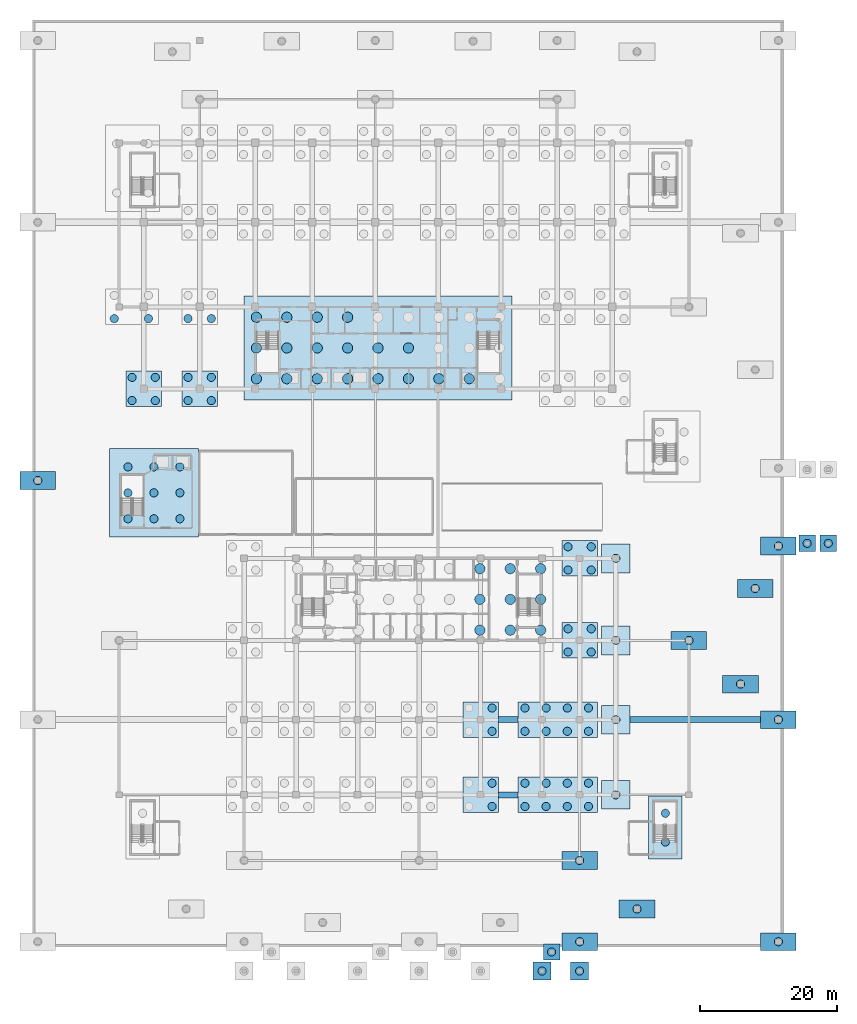
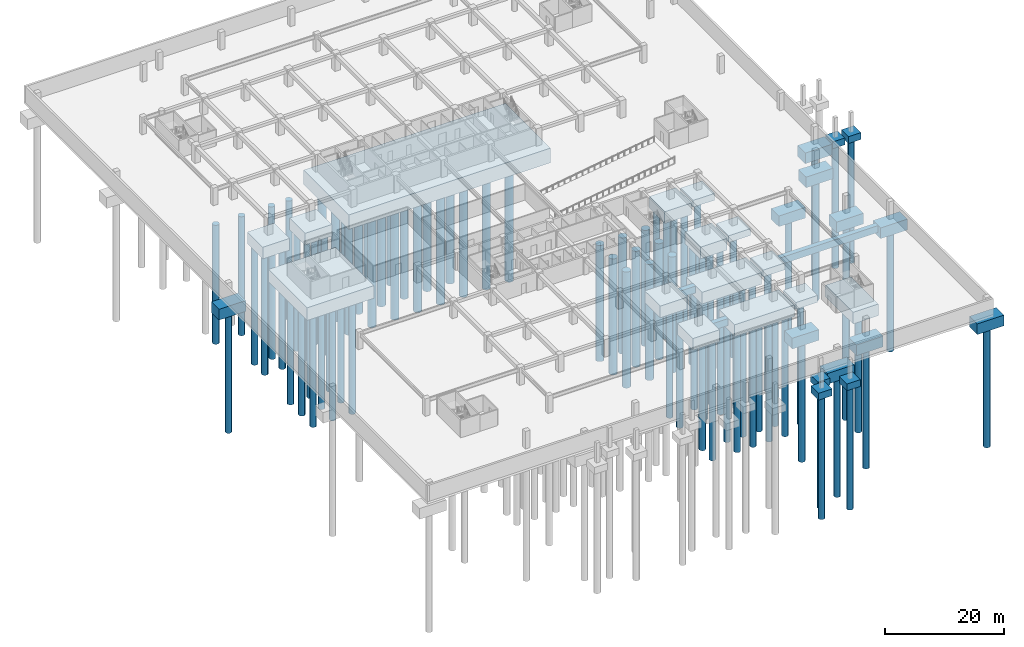
# One storey, part 2 of 26: 97 piles, 33 footings.
"""IFC4 building model written with IfcOpenShell, lengths in metres."""

from ifc_helpers import new_model, si_unit, direction, frame, origin, origin_2d, place, context, subcontext, project, spatial, polyline, circle, outline, extrude, material, layer, layer_set, material_profile, profile_set, type_object, element, save


model = new_model("IFC4")

# Units and contexts
model_context = context("Model", 3, precision=1e-05, world=origin(), true_north=direction((0.0, 1.0)))
body_context = subcontext(model_context, "Body", "Model", "MODEL_VIEW")
ifc_project = project(units=[si_unit("LENGTHUNIT", "METRE"), si_unit("AREAUNIT", "SQUARE_METRE"), si_unit("VOLUMEUNIT", "CUBIC_METRE"), si_unit("PLANEANGLEUNIT", "RADIAN"), si_unit("MASSUNIT", "GRAM", prefix="KILO")], contexts=[model_context])

# Site, building, storey
site_placement = place(None, origin())
site = spatial("IfcSite", under=ifc_project, at=site_placement, CompositionType="ELEMENT")
building_placement = place(site_placement, origin())
building = spatial("IfcBuilding", under=site, at=building_placement, Name="Korimba Cascade Residences", CompositionType="ELEMENT")
storey_placement = place(building_placement, frame((0.0, 0.0, -10.800048828125)))
storey = spatial("IfcBuildingStorey", under=building, at=storey_placement, Name="B03", CompositionType="ELEMENT", Elevation=-10.800048828125)

# Footings
ifc_material = material(Name="Concrete C50/60", Category="concrete")
ifc_layer_1 = layer(ifc_material, 1.39990234375)
ifc_layer_set_1 = layer_set([ifc_layer_1], Name="Concrete C50/60")
footing_type_1 = type_object("IfcFootingType", Name="GB-900X1400", PredefinedType="FOOTING_BEAM", material=ifc_layer_set_1)
footing_1_placement = place(storey_placement, frame((0.0, 0.0, -1.849853515625)))
element("IfcFooting", 1, at=footing_1_placement, inside=storey, type_object=footing_type_1, Name="Ground Tie Beam GB-022", PredefinedType="FOOTING_BEAM", context=body_context, shape_type="SweptSolid", body=[
    extrude(outline(polyline([(111.699951171875, -4.64990234375), (114.60009765625, -4.64990234375), (114.60009765625, -3.75), (111.699951171875, -3.75), (111.699951171875, -4.64990234375)])), origin(), (0.0, 0.0, 1.0), 1.39990234375),
])
footing_2_placement = place(storey_placement, frame((0.0, 0.0, -1.849853515625)))
element("IfcFooting", 2, at=footing_2_placement, inside=storey, type_object=footing_type_1, Name="Ground Tie Beam GB-028", PredefinedType="FOOTING_BEAM", context=body_context, shape_type="SweptSolid", body=[
    extrude(outline(polyline([(111.699951171875, 6.35009765625), (114.60009765625, 6.35009765625), (114.60009765625, 7.25), (111.699951171875, 7.25), (111.699951171875, 6.35009765625)])), origin(), (0.0, 0.0, 1.0), 1.39990234375),
])
footing_3_placement = place(storey_placement, frame((0.0, 0.0, -1.849853515625)))
element("IfcFooting", 3, at=footing_3_placement, inside=storey, type_object=footing_type_1, Name="Ground Tie Beam GB-029", PredefinedType="FOOTING_BEAM", context=body_context, shape_type="SweptSolid", body=[
    extrude(outline(polyline([(131.0, 6.35009765625), (150.10009765625, 6.35009765625), (150.10009765625, 7.25), (131.0, 7.25), (131.0, 6.35009765625)])), origin(), (0.0, 0.0, 1.0), 1.39990234375),
])
ifc_layer_2 = layer(ifc_material, 1.39990234375)
ifc_layer_set_2 = layer_set([ifc_layer_2], Name="Concrete C50/60")
footing_type_2 = type_object("IfcFootingType", Name="PAD-CANOPY", PredefinedType="PAD_FOOTING", material=ifc_layer_set_2)
footing_4_placement = place(storey_placement, frame((0.0, 0.0, -1.849853515625)))
element("IfcFooting", 4, at=footing_4_placement, inside=storey, type_object=footing_type_2, Name="Column Pile Cap FTG-PC-038", PredefinedType="PAD_FOOTING", context=body_context, shape_type="SweptSolid", body=[
    extrude(outline(polyline([(126.800048828125, -6.300048828125), (131.0, -6.300048828125), (131.0, -2.10009765625), (126.800048828125, -2.10009765625), (126.800048828125, -6.300048828125)])), origin(), (0.0, 0.0, 1.0), 1.39990234375),
])
footing_5_placement = place(storey_placement, frame((0.0, 0.0, -1.849853515625)))
element("IfcFooting", 5, at=footing_5_placement, inside=storey, type_object=footing_type_2, Name="Column Pile Cap FTG-PC-039", PredefinedType="PAD_FOOTING", context=body_context, shape_type="SweptSolid", body=[
    extrude(outline(polyline([(126.800048828125, 4.699951171875), (131.0, 4.699951171875), (131.0, 8.89990234375), (126.800048828125, 8.89990234375), (126.800048828125, 4.699951171875)])), origin(), (0.0, 0.0, 1.0), 1.39990234375),
])
footing_6_placement = place(storey_placement, frame((0.0, 0.0, -1.849853515625)))
element("IfcFooting", 6, at=footing_6_placement, inside=storey, type_object=footing_type_2, Name="Column Pile Cap FTG-PC-040", PredefinedType="PAD_FOOTING", context=body_context, shape_type="SweptSolid", body=[
    extrude(outline(polyline([(126.800048828125, 16.300048828125), (131.0, 16.300048828125), (131.0, 20.5), (126.800048828125, 20.5), (126.800048828125, 16.300048828125)])), origin(), (0.0, 0.0, 1.0), 1.39990234375),
])
footing_7_placement = place(storey_placement, frame((0.0, 0.0, -1.849853515625)))
element("IfcFooting", 7, at=footing_7_placement, inside=storey, type_object=footing_type_2, Name="Column Pile Cap FTG-PC-041", PredefinedType="PAD_FOOTING", context=body_context, shape_type="SweptSolid", body=[
    extrude(outline(polyline([(126.800048828125, 28.300048828125), (131.0, 28.300048828125), (131.0, 32.5), (126.800048828125, 32.5), (126.800048828125, 28.300048828125)])), origin(), (0.0, 0.0, 1.0), 1.39990234375),
])
footing_8_placement = place(storey_placement, frame((0.0, 0.0, -1.849853515625)))
element("IfcFooting", 8, at=footing_8_placement, inside=storey, type_object=footing_type_2, Name="Porte-Cochere Pad Footing PF-6", PredefinedType="PAD_FOOTING", context=body_context, shape_type="SweptSolid", body=[
    extrude(outline(polyline([(116.800048828125, -31.300048828125), (119.39990234375, -31.300048828125), (119.39990234375, -28.699951171875), (116.800048828125, -28.699951171875), (116.800048828125, -31.300048828125)])), origin(), (0.0, 0.0, 1.0), 1.39990234375),
])
footing_9_placement = place(storey_placement, frame((0.0, 0.0, -1.849853515625)))
element("IfcFooting", 9, at=footing_9_placement, inside=storey, type_object=footing_type_2, Name="Porte-Cochere Pad Footing PF-7", PredefinedType="PAD_FOOTING", context=body_context, shape_type="SweptSolid", body=[
    extrude(outline(polyline([(122.300048828125, -31.300048828125), (124.89990234375, -31.300048828125), (124.89990234375, -28.699951171875), (122.300048828125, -28.699951171875), (122.300048828125, -31.300048828125)])), origin(), (0.0, 0.0, 1.0), 1.39990234375),
])
footing_10_placement = place(storey_placement, frame((0.0, 0.0, -1.849853515625)))
element("IfcFooting", 10, at=footing_10_placement, inside=storey, type_object=footing_type_2, Name="Plaza Pad Footing APR1", PredefinedType="PAD_FOOTING", context=body_context, shape_type="SweptSolid", body=[
    extrude(outline(polyline([(155.699951171875, 31.39990234375), (158.10009765625, 31.39990234375), (158.10009765625, 33.800048828125), (155.699951171875, 33.800048828125), (155.699951171875, 31.39990234375)])), origin(), (0.0, 0.0, 1.0), 1.39990234375),
])
footing_11_placement = place(storey_placement, frame((0.0, 0.0, -1.849853515625)))
element("IfcFooting", 11, at=footing_11_placement, inside=storey, type_object=footing_type_2, Name="Plaza Pad Footing APR3", PredefinedType="PAD_FOOTING", context=body_context, shape_type="SweptSolid", body=[
    extrude(outline(polyline([(158.800048828125, 31.39990234375), (161.199951171875, 31.39990234375), (161.199951171875, 33.800048828125), (158.800048828125, 33.800048828125), (158.800048828125, 31.39990234375)])), origin(), (0.0, 0.0, 1.0), 1.39990234375),
])
footing_12_placement = place(storey_placement, frame((0.0, 0.0, -1.849853515625)))
element("IfcFooting", 12, at=footing_12_placement, inside=storey, type_object=footing_type_2, Name="Plaza Pad Footing PLZS2B", PredefinedType="PAD_FOOTING", context=body_context, shape_type="SweptSolid", body=[
    extrude(outline(polyline([(118.300048828125, -28.39990234375), (120.699951171875, -28.39990234375), (120.699951171875, -26.0), (118.300048828125, -26.0), (118.300048828125, -28.39990234375)])), origin(), (0.0, 0.0, 1.0), 1.39990234375),
])
ifc_layer_3 = layer(ifc_material, 2.199951171875)
ifc_layer_set_3 = layer_set([ifc_layer_3], Name="Concrete C50/60")
footing_type_3 = type_object("IfcFootingType", Name="PC-2PILE-P", PredefinedType="PILE_CAP", material=ifc_layer_set_3)
footing_13_placement = place(storey_placement, frame((0.0, 0.0, -2.64990234375)))
element("IfcFooting", 13, at=footing_13_placement, inside=storey, type_object=footing_type_3, Name="Column Pile Cap FTG-PC-043", PredefinedType="PILE_CAP", context=body_context, shape_type="SweptSolid", body=[
    extrude(outline(polyline([(137.0, 17.10009765625), (142.199951171875, 17.10009765625), (142.199951171875, 19.699951171875), (137.0, 19.699951171875), (137.0, 17.10009765625)])), origin(), (0.0, 0.0, 1.0), 2.199951171875),
])
footing_14_placement = place(storey_placement, frame((0.0, 0.0, -2.64990234375)))
element("IfcFooting", 14, at=footing_14_placement, inside=storey, type_object=footing_type_3, Name="Column Pile Cap FTG-PC-047", PredefinedType="PILE_CAP", context=body_context, shape_type="SweptSolid", body=[
    extrude(outline(polyline([(121.0, -15.10009765625), (126.199951171875, -15.10009765625), (126.199951171875, -12.5), (121.0, -12.5), (121.0, -15.10009765625)])), origin(), (0.0, 0.0, 1.0), 2.199951171875),
])
footing_15_placement = place(storey_placement, frame((0.0, 0.0, -2.64990234375)))
element("IfcFooting", 15, at=footing_15_placement, inside=storey, type_object=footing_type_3, Name="Column Pile Cap FTG-PC-054", PredefinedType="PILE_CAP", context=body_context, shape_type="SweptSolid", body=[
    extrude(outline(polyline([(129.39990234375, -22.199951171875), (134.60009765625, -22.199951171875), (134.60009765625, -19.60009765625), (129.39990234375, -19.60009765625), (129.39990234375, -22.199951171875)])), origin(), (0.0, 0.0, 1.0), 2.199951171875),
])
footing_16_placement = place(storey_placement, frame((0.0, 0.0, -2.64990234375)))
element("IfcFooting", 16, at=footing_16_placement, inside=storey, type_object=footing_type_3, Name="Column Pile Cap FTG-PC-059", PredefinedType="PILE_CAP", context=body_context, shape_type="SweptSolid", body=[
    extrude(outline(polyline([(146.699951171875, 24.699951171875), (151.89990234375, 24.699951171875), (151.89990234375, 27.300048828125), (146.699951171875, 27.300048828125), (146.699951171875, 24.699951171875)])), origin(), (0.0, 0.0, 1.0), 2.199951171875),
])
footing_17_placement = place(storey_placement, frame((0.0, 0.0, -2.64990234375)))
element("IfcFooting", 17, at=footing_17_placement, inside=storey, type_object=footing_type_3, Name="Column Pile Cap FTG-PC-061", PredefinedType="PILE_CAP", context=body_context, shape_type="SweptSolid", body=[
    extrude(outline(polyline([(144.550048828125, 10.699951171875), (149.75, 10.699951171875), (149.75, 13.300048828125), (144.550048828125, 13.300048828125), (144.550048828125, 10.699951171875)])), origin(), (0.0, 0.0, 1.0), 2.199951171875),
])
footing_18_placement = place(storey_placement, frame((0.0, 0.0, -2.64990234375)))
element("IfcFooting", 18, at=footing_18_placement, inside=storey, type_object=footing_type_3, Name="Column Pile Cap FTG-PC-065", PredefinedType="PILE_CAP", context=body_context, shape_type="SweptSolid", body=[
    extrude(outline(polyline([(41.699951171875, 40.5), (46.89990234375, 40.5), (46.89990234375, 43.10009765625), (41.699951171875, 43.10009765625), (41.699951171875, 40.5)])), origin(), (0.0, 0.0, 1.0), 2.199951171875),
])
footing_19_placement = place(storey_placement, frame((0.0, 0.0, -2.64990234375)))
element("IfcFooting", 19, at=footing_19_placement, inside=storey, type_object=footing_type_3, Name="Column Pile Cap FTG-PC-068", PredefinedType="PILE_CAP", context=body_context, shape_type="SweptSolid", body=[
    extrude(outline(polyline([(150.10009765625, -27.0), (155.300048828125, -27.0), (155.300048828125, -24.39990234375), (150.10009765625, -24.39990234375), (150.10009765625, -27.0)])), origin(), (0.0, 0.0, 1.0), 2.199951171875),
])
footing_20_placement = place(storey_placement, frame((0.0, 0.0, -2.64990234375)))
element("IfcFooting", 20, at=footing_20_placement, inside=storey, type_object=footing_type_3, Name="Column Pile Cap FTG-PC-069", PredefinedType="PILE_CAP", context=body_context, shape_type="SweptSolid", body=[
    extrude(outline(polyline([(150.10009765625, 5.5), (155.300048828125, 5.5), (155.300048828125, 8.10009765625), (150.10009765625, 8.10009765625), (150.10009765625, 5.5)])), origin(), (0.0, 0.0, 1.0), 2.199951171875),
])
footing_21_placement = place(storey_placement, frame((0.0, 0.0, -2.64990234375)))
element("IfcFooting", 21, at=footing_21_placement, inside=storey, type_object=footing_type_3, Name="Column Pile Cap FTG-PC-070", PredefinedType="PILE_CAP", context=body_context, shape_type="SweptSolid", body=[
    extrude(outline(polyline([(150.10009765625, 30.89990234375), (155.300048828125, 30.89990234375), (155.300048828125, 33.5), (150.10009765625, 33.5), (150.10009765625, 30.89990234375)])), origin(), (0.0, 0.0, 1.0), 2.199951171875),
])
footing_22_placement = place(storey_placement, frame((0.0, 0.0, -2.64990234375)))
element("IfcFooting", 22, at=footing_22_placement, inside=storey, type_object=footing_type_3, Name="Column Pile Cap FTG-PC-076", PredefinedType="PILE_CAP", context=body_context, shape_type="SweptSolid", body=[
    extrude(outline(polyline([(121.0, -27.0), (126.199951171875, -27.0), (126.199951171875, -24.39990234375), (121.0, -24.39990234375), (121.0, -27.0)])), origin(), (0.0, 0.0, 1.0), 2.199951171875),
])
ifc_layer_4 = layer(ifc_material, 2.39990234375)
ifc_layer_set_4 = layer_set([ifc_layer_4], Name="Concrete C50/60")
footing_type_4 = type_object("IfcFootingType", Name="PC-4PILE", PredefinedType="PILE_CAP", material=ifc_layer_set_4)
footing_23_placement = place(storey_placement, frame((0.0, 0.0, -2.849853515625)))
element("IfcFooting", 23, at=footing_23_placement, inside=storey, type_object=footing_type_4, Name="Combined Pile Cap FTG-PCC-02", PredefinedType="PILE_CAP", context=body_context, shape_type="SweptSolid", body=[
    extrude(outline(polyline([(114.60009765625, -6.800048828125), (126.199951171875, -6.800048828125), (126.199951171875, -1.60009765625), (114.60009765625, -1.60009765625), (114.60009765625, -6.800048828125)])), origin(), (0.0, 0.0, 1.0), 2.39990234375),
])
footing_24_placement = place(storey_placement, frame((0.0, 0.0, -2.849853515625)))
element("IfcFooting", 24, at=footing_24_placement, inside=storey, type_object=footing_type_4, Name="Combined Pile Cap FTG-PCC-03", PredefinedType="PILE_CAP", context=body_context, shape_type="SweptSolid", body=[
    extrude(outline(polyline([(114.60009765625, 4.199951171875), (126.199951171875, 4.199951171875), (126.199951171875, 9.39990234375), (114.60009765625, 9.39990234375), (114.60009765625, 4.199951171875)])), origin(), (0.0, 0.0, 1.0), 2.39990234375),
])
footing_25_placement = place(storey_placement, frame((0.0, 0.0, -2.849853515625)))
element("IfcFooting", 25, at=footing_25_placement, inside=storey, type_object=footing_type_4, Name="Column Pile Cap FTG-PC-001", PredefinedType="PILE_CAP", context=body_context, shape_type="SweptSolid", body=[
    extrude(outline(polyline([(57.199951171875, 52.60009765625), (62.39990234375, 52.60009765625), (62.39990234375, 57.800048828125), (57.199951171875, 57.800048828125), (57.199951171875, 52.60009765625)])), origin(), (0.0, 0.0, 1.0), 2.39990234375),
])
footing_26_placement = place(storey_placement, frame((0.0, 0.0, -2.849853515625)))
element("IfcFooting", 26, at=footing_26_placement, inside=storey, type_object=footing_type_4, Name="Column Pile Cap FTG-PC-002", PredefinedType="PILE_CAP", context=body_context, shape_type="SweptSolid", body=[
    extrude(outline(polyline([(65.39990234375, 52.60009765625), (70.60009765625, 52.60009765625), (70.60009765625, 57.800048828125), (65.39990234375, 57.800048828125), (65.39990234375, 52.60009765625)])), origin(), (0.0, 0.0, 1.0), 2.39990234375),
])
footing_27_placement = place(storey_placement, frame((0.0, 0.0, -2.849853515625)))
element("IfcFooting", 27, at=footing_27_placement, inside=storey, type_object=footing_type_4, Name="Column Pile Cap FTG-PC-034", PredefinedType="PILE_CAP", context=body_context, shape_type="SweptSolid", body=[
    extrude(outline(polyline([(106.5, -6.800048828125), (111.699951171875, -6.800048828125), (111.699951171875, -1.60009765625), (106.5, -1.60009765625), (106.5, -6.800048828125)])), origin(), (0.0, 0.0, 1.0), 2.39990234375),
])
footing_28_placement = place(storey_placement, frame((0.0, 0.0, -2.849853515625)))
element("IfcFooting", 28, at=footing_28_placement, inside=storey, type_object=footing_type_4, Name="Column Pile Cap FTG-PC-035", PredefinedType="PILE_CAP", context=body_context, shape_type="SweptSolid", body=[
    extrude(outline(polyline([(106.5, 4.199951171875), (111.699951171875, 4.199951171875), (111.699951171875, 9.39990234375), (106.5, 9.39990234375), (106.5, 4.199951171875)])), origin(), (0.0, 0.0, 1.0), 2.39990234375),
])
footing_29_placement = place(storey_placement, frame((0.0, 0.0, -2.849853515625)))
element("IfcFooting", 29, at=footing_29_placement, inside=storey, type_object=footing_type_4, Name="Column Pile Cap FTG-PC-036", PredefinedType="PILE_CAP", context=body_context, shape_type="SweptSolid", body=[
    extrude(outline(polyline([(121.0, 15.800048828125), (126.199951171875, 15.800048828125), (126.199951171875, 21.0), (121.0, 21.0), (121.0, 15.800048828125)])), origin(), (0.0, 0.0, 1.0), 2.39990234375),
])
footing_30_placement = place(storey_placement, frame((0.0, 0.0, -2.849853515625)))
element("IfcFooting", 30, at=footing_30_placement, inside=storey, type_object=footing_type_4, Name="Column Pile Cap FTG-PC-037", PredefinedType="PILE_CAP", context=body_context, shape_type="SweptSolid", body=[
    extrude(outline(polyline([(121.0, 27.800048828125), (126.199951171875, 27.800048828125), (126.199951171875, 33.0), (121.0, 33.0), (121.0, 27.800048828125)])), origin(), (0.0, 0.0, 1.0), 2.39990234375),
])

# Piles
ifc_material_profile_1 = material_profile(ifc_material, circle(Radius=0.60009765625, at=origin_2d()), Name="Concrete C50/60")
ifc_profile_set_1 = profile_set([ifc_material_profile_1], Name="Concrete C50/60")
pile_type_1 = type_object("IfcPileType", Name="PILE-D1200", PredefinedType="BORED", material=ifc_profile_set_1)
for number, where, z_axis, x_axis, name in (
    (31, (57.5, 36.199951171875, -2.949951171875), (0.0, 0.0, -1.0), (1.0, 0.0, 0.0), "Podium Core Bored Pile PW 1.1"),
    (32, (57.5, 40.0, -2.949951171875), (0.0, 0.0, -1.0), (1.0, 0.0, 0.0), "Podium Core Bored Pile PW 1.2"),
    (33, (57.5, 43.800048828125, -2.949951171875), (0.0, 0.0, -1.0), (1.0, 0.0, 0.0), "Podium Core Bored Pile PW 1.3"),
    (34, (61.300048828125, 36.199951171875, -2.949951171875), (0.0, 0.0, -1.0), (1.0, 0.0, 0.0), "Podium Core Bored Pile PW 2.1"),
    (35, (61.300048828125, 40.0, -2.949951171875), (0.0, 0.0, -1.0), (1.0, 0.0, 0.0), "Podium Core Bored Pile PW 2.2"),
    (36, (61.300048828125, 43.800048828125, -2.949951171875), (0.0, 0.0, -1.0), (1.0, 0.0, 0.0), "Podium Core Bored Pile PW 2.3"),
    (37, (65.10009765625, 36.199951171875, -2.949951171875), (0.0, 0.0, -1.0), (1.0, 0.0, 0.0), "Podium Core Bored Pile PW 3.1"),
    (38, (65.10009765625, 40.0, -2.949951171875), (0.0, 0.0, -1.0), (1.0, 0.0, 0.0), "Podium Core Bored Pile PW 3.2"),
    (39, (65.10009765625, 43.800048828125, -2.949951171875), (0.0, 0.0, -1.0), (1.0, 0.0, 0.0), "Podium Core Bored Pile PW 3.3"),
):
    element("IfcPile", number, at=place(storey_placement, frame(where, z_axis=z_axis, x_axis=x_axis)), inside=storey, type_object=pile_type_1, Name=name, PredefinedType="BORED", context=body_context, shape_type="SweptSolid", body=[
        extrude(circle(Radius=0.60009765625, at=origin_2d()), origin(), (0.0, 0.0, 1.0), 24.25),
    ])
for number, where, z_axis, x_axis, name in (
    (40, (136.14990234375, -11.10009765625, -2.75), (0.0, 0.0, -1.0), (1.0, 0.0, 0.0), "Podium Core Bored Pile P6 1.1"),
    (41, (136.14990234375, -6.89990234375, -2.75), (0.0, 0.0, -1.0), (1.0, 0.0, 0.0), "Podium Core Bored Pile P6 1.2"),
    (42, (55.5, 65.5, -2.75), (0.0, 0.0, -1.0), (1.0, 0.0, 0.0), "Cap Bored Pile FTG-PCC-01.1"),
    (43, (60.5, 65.5, -2.75), (0.0, 0.0, -1.0), (1.0, 0.0, 0.0), "Cap Bored Pile FTG-PCC-01.2"),
    (44, (115.60009765625, -5.89990234375, -2.75), (0.0, 0.0, -1.0), (1.0, 0.0, 0.0), "Cap Bored Pile FTG-PCC-02.1"),
    (45, (118.699951171875, -5.89990234375, -2.75), (0.0, 0.0, -1.0), (1.0, 0.0, 0.0), "Cap Bored Pile FTG-PCC-02.2"),
    (46, (121.800048828125, -5.89990234375, -2.75), (0.0, 0.0, -1.0), (1.0, 0.0, 0.0), "Cap Bored Pile FTG-PCC-02.3"),
    (47, (124.89990234375, -5.89990234375, -2.75), (0.0, 0.0, -1.0), (1.0, 0.0, 0.0), "Cap Bored Pile FTG-PCC-02.4"),
    (48, (115.60009765625, -2.5, -2.75), (0.0, 0.0, -1.0), (1.0, 0.0, 0.0), "Cap Bored Pile FTG-PCC-02.5"),
    (49, (118.699951171875, -2.5, -2.75), (0.0, 0.0, -1.0), (1.0, 0.0, 0.0), "Cap Bored Pile FTG-PCC-02.6"),
    (50, (121.800048828125, -2.5, -2.75), (0.0, 0.0, -1.0), (1.0, 0.0, 0.0), "Cap Bored Pile FTG-PCC-02.7"),
    (51, (124.89990234375, -2.5, -2.75), (0.0, 0.0, -1.0), (1.0, 0.0, 0.0), "Cap Bored Pile FTG-PCC-02.8"),
    (52, (115.60009765625, 5.10009765625, -2.75), (0.0, 0.0, -1.0), (1.0, 0.0, 0.0), "Cap Bored Pile FTG-PCC-03.1"),
    (53, (118.699951171875, 5.10009765625, -2.75), (0.0, 0.0, -1.0), (1.0, 0.0, 0.0), "Cap Bored Pile FTG-PCC-03.2"),
    (54, (121.800048828125, 5.10009765625, -2.75), (0.0, 0.0, -1.0), (1.0, 0.0, 0.0), "Cap Bored Pile FTG-PCC-03.3"),
    (55, (124.89990234375, 5.10009765625, -2.75), (0.0, 0.0, -1.0), (1.0, 0.0, 0.0), "Cap Bored Pile FTG-PCC-03.4"),
    (56, (115.60009765625, 8.5, -2.75), (0.0, 0.0, -1.0), (1.0, 0.0, 0.0), "Cap Bored Pile FTG-PCC-03.5"),
    (57, (118.699951171875, 8.5, -2.75), (0.0, 0.0, -1.0), (1.0, 0.0, 0.0), "Cap Bored Pile FTG-PCC-03.6"),
    (58, (121.800048828125, 8.5, -2.75), (0.0, 0.0, -1.0), (1.0, 0.0, 0.0), "Cap Bored Pile FTG-PCC-03.7"),
    (59, (124.89990234375, 8.5, -2.75), (0.0, 0.0, -1.0), (1.0, 0.0, 0.0), "Cap Bored Pile FTG-PCC-03.8"),
    (60, (58.10009765625, 53.5, -2.75), (0.0, 0.0, -1.0), (1.0, 0.0, 0.0), "Cap Bored Pile FTG-PC-001.1"),
    (61, (61.5, 53.5, -2.75), (0.0, 0.0, -1.0), (1.0, 0.0, 0.0), "Cap Bored Pile FTG-PC-001.2"),
    (62, (58.10009765625, 56.89990234375, -2.75), (0.0, 0.0, -1.0), (1.0, 0.0, 0.0), "Cap Bored Pile FTG-PC-001.3"),
    (63, (61.5, 56.89990234375, -2.75), (0.0, 0.0, -1.0), (1.0, 0.0, 0.0), "Cap Bored Pile FTG-PC-001.4"),
    (64, (66.300048828125, 53.5, -2.75), (0.0, 0.0, -1.0), (1.0, 0.0, 0.0), "Cap Bored Pile FTG-PC-002.1"),
    (65, (69.699951171875, 53.5, -2.75), (0.0, 0.0, -1.0), (1.0, 0.0, 0.0), "Cap Bored Pile FTG-PC-002.2"),
    (66, (66.300048828125, 56.89990234375, -2.75), (0.0, 0.0, -1.0), (1.0, 0.0, 0.0), "Cap Bored Pile FTG-PC-002.3"),
    (67, (69.699951171875, 56.89990234375, -2.75), (0.0, 0.0, -1.0), (1.0, 0.0, 0.0), "Cap Bored Pile FTG-PC-002.4"),
    (68, (66.300048828125, 65.5, -2.75), (0.0, 0.0, -1.0), (1.0, 0.0, 0.0), "Cap Bored Pile FTG-PC-003.1"),
    (69, (69.699951171875, 65.5, -2.75), (0.0, 0.0, -1.0), (1.0, 0.0, 0.0), "Cap Bored Pile FTG-PC-003.2"),
    (70, (110.800048828125, -5.89990234375, -2.75), (0.0, 0.0, -1.0), (1.0, 0.0, 0.0), "Cap Bored Pile FTG-PC-034.2"),
    (71, (110.800048828125, -2.5, -2.75), (0.0, 0.0, -1.0), (1.0, 0.0, 0.0), "Cap Bored Pile FTG-PC-034.4"),
    (72, (110.800048828125, 5.10009765625, -2.75), (0.0, 0.0, -1.0), (1.0, 0.0, 0.0), "Cap Bored Pile FTG-PC-035.2"),
    (73, (110.800048828125, 8.5, -2.75), (0.0, 0.0, -1.0), (1.0, 0.0, 0.0), "Cap Bored Pile FTG-PC-035.4"),
    (74, (121.89990234375, 16.699951171875, -2.75), (0.0, 0.0, -1.0), (1.0, 0.0, 0.0), "Cap Bored Pile FTG-PC-036.1"),
    (75, (125.300048828125, 16.699951171875, -2.75), (0.0, 0.0, -1.0), (1.0, 0.0, 0.0), "Cap Bored Pile FTG-PC-036.2"),
    (76, (121.89990234375, 20.10009765625, -2.75), (0.0, 0.0, -1.0), (1.0, 0.0, 0.0), "Cap Bored Pile FTG-PC-036.3"),
    (77, (125.300048828125, 20.10009765625, -2.75), (0.0, 0.0, -1.0), (1.0, 0.0, 0.0), "Cap Bored Pile FTG-PC-036.4"),
    (78, (121.89990234375, 28.699951171875, -2.75), (0.0, 0.0, -1.0), (1.0, 0.0, 0.0), "Cap Bored Pile FTG-PC-037.1"),
    (79, (125.300048828125, 28.699951171875, -2.75), (0.0, 0.0, -1.0), (1.0, 0.0, 0.0), "Cap Bored Pile FTG-PC-037.2"),
    (80, (121.89990234375, 32.10009765625, -2.75), (0.0, 0.0, -1.0), (1.0, 0.0, 0.0), "Cap Bored Pile FTG-PC-037.3"),
    (81, (125.300048828125, 32.10009765625, -2.75), (0.0, 0.0, -1.0), (1.0, 0.0, 0.0), "Cap Bored Pile FTG-PC-037.4"),
):
    element("IfcPile", number, at=place(storey_placement, frame(where, z_axis=z_axis, x_axis=x_axis)), inside=storey, type_object=pile_type_1, Name=name, PredefinedType="BORED", context=body_context, shape_type="SweptSolid", body=[
        extrude(circle(Radius=0.60009765625, at=origin_2d()), origin(), (0.0, 0.0, 1.0), 24.449951171875),
    ])
for number, where, z_axis, x_axis, name in (
    (82, (128.89990234375, -4.199951171875, -1.75), (0.0, 0.0, -1.0), (1.0, 0.0, 0.0), "Cap Bored Pile FTG-PC-038.1"),
    (83, (128.89990234375, 6.800048828125, -1.75), (0.0, 0.0, -1.0), (1.0, 0.0, 0.0), "Cap Bored Pile FTG-PC-039.1"),
    (84, (128.89990234375, 18.39990234375, -1.75), (0.0, 0.0, -1.0), (1.0, 0.0, 0.0), "Cap Bored Pile FTG-PC-040.1"),
    (85, (128.89990234375, 30.39990234375, -1.75), (0.0, 0.0, -1.0), (1.0, 0.0, 0.0), "Cap Bored Pile FTG-PC-041.1"),
):
    element("IfcPile", number, at=place(storey_placement, frame(where, z_axis=z_axis, x_axis=x_axis)), inside=storey, type_object=pile_type_1, Name=name, PredefinedType="BORED", context=body_context, shape_type="SweptSolid", body=[
        extrude(circle(Radius=0.60009765625, at=origin_2d()), origin(), (0.0, 0.0, 1.0), 25.449951171875),
    ])
for number, where, z_axis, x_axis, name in (
    (86, (139.60009765625, 18.39990234375, -2.550048828125), (0.0, 0.0, -1.0), (1.0, 0.0, 0.0), "Cap Bored Pile FTG-PC-043.1"),
    (87, (123.60009765625, -13.800048828125, -2.550048828125), (0.0, 0.0, -1.0), (1.0, 0.0, 0.0), "Cap Bored Pile FTG-PC-047.1"),
    (88, (132.0, -20.89990234375, -2.550048828125), (0.0, 0.0, -1.0), (1.0, 0.0, 0.0), "Cap Bored Pile FTG-PC-054.1"),
    (89, (149.300048828125, 26.0, -2.550048828125), (0.0, 0.0, -1.0), (1.0, 0.0, 0.0), "Cap Bored Pile FTG-PC-059.1"),
    (90, (147.14990234375, 12.0, -2.550048828125), (0.0, 0.0, -1.0), (1.0, 0.0, 0.0), "Cap Bored Pile FTG-PC-061.1"),
    (91, (44.300048828125, 41.800048828125, -2.550048828125), (0.0, 0.0, -1.0), (1.0, 0.0, 0.0), "Cap Bored Pile FTG-PC-065.1"),
    (92, (152.699951171875, -25.699951171875, -2.550048828125), (0.0, 0.0, -1.0), (1.0, 0.0, 0.0), "Cap Bored Pile FTG-PC-068.1"),
    (93, (152.699951171875, 6.800048828125, -2.550048828125), (0.0, 0.0, -1.0), (1.0, 0.0, 0.0), "Cap Bored Pile FTG-PC-069.1"),
    (94, (152.699951171875, 32.199951171875, -2.550048828125), (0.0, 0.0, -1.0), (1.0, 0.0, 0.0), "Cap Bored Pile FTG-PC-070.1"),
    (95, (123.60009765625, -25.699951171875, -2.550048828125), (0.0, 0.0, -1.0), (1.0, 0.0, 0.0), "Cap Bored Pile FTG-PC-076.1"),
):
    element("IfcPile", number, at=place(storey_placement, frame(where, z_axis=z_axis, x_axis=x_axis)), inside=storey, type_object=pile_type_1, Name=name, PredefinedType="BORED", context=body_context, shape_type="SweptSolid", body=[
        extrude(circle(Radius=0.60009765625, at=origin_2d()), origin(), (0.0, 0.0, 1.0), 24.64990234375),
    ])
for number, where, z_axis, x_axis, name in (
    (96, (118.10009765625, -30.0, -1.75), (0.0, 0.0, -1.0), (1.0, 0.0, 0.0), "Porte-Cochere Pile 6"),
    (97, (123.60009765625, -30.0, -1.75), (0.0, 0.0, -1.0), (1.0, 0.0, 0.0), "Porte-Cochere Pile 7"),
    (98, (156.89990234375, 32.60009765625, -1.75), (0.0, 0.0, -1.0), (1.0, 0.0, 0.0), "Plaza Pile APR1"),
    (99, (160.0, 32.60009765625, -1.75), (0.0, 0.0, -1.0), (1.0, 0.0, 0.0), "Plaza Pile APR3"),
    (100, (119.5, -27.199951171875, -1.75), (0.0, 0.0, -1.0), (1.0, 0.0, 0.0), "Plaza Pile PLZS2B"),
):
    element("IfcPile", number, at=place(storey_placement, frame(where, z_axis=z_axis, x_axis=x_axis)), inside=storey, type_object=pile_type_1, Name=name, PredefinedType="BORED", context=body_context, shape_type="SweptSolid", body=[
        extrude(circle(Radius=0.60009765625, at=origin_2d()), origin(), (0.0, 0.0, 1.0), 25.449951171875),
    ])
ifc_material_profile_2 = material_profile(ifc_material, circle(Radius=0.75, at=origin_2d()), Name="Concrete C50/60")
ifc_profile_set_2 = profile_set([ifc_material_profile_2], Name="Concrete C50/60")
pile_type_2 = type_object("IfcPileType", Name="PILE-D1500", PredefinedType="BORED", material=ifc_profile_set_2)
for number, where, z_axis, x_axis, name in (
    (101, (76.300048828125, 56.699951171875, -3.349853515625), (0.0, 0.0, -1.0), (1.0, 0.0, 0.0), "Core Bored Pile CR-W 1"),
    (102, (76.300048828125, 61.199951171875, -3.349853515625), (0.0, 0.0, -1.0), (1.0, 0.0, 0.0), "Core Bored Pile CR-W 2"),
    (103, (76.300048828125, 65.699951171875, -3.349853515625), (0.0, 0.0, -1.0), (1.0, 0.0, 0.0), "Core Bored Pile CR-W 3"),
    (104, (80.75, 56.699951171875, -3.349853515625), (0.0, 0.0, -1.0), (1.0, 0.0, 0.0), "Core Bored Pile CR-W 4"),
    (105, (80.75, 61.199951171875, -3.349853515625), (0.0, 0.0, -1.0), (1.0, 0.0, 0.0), "Core Bored Pile CR-W 5"),
    (106, (80.75, 65.699951171875, -3.349853515625), (0.0, 0.0, -1.0), (1.0, 0.0, 0.0), "Core Bored Pile CR-W 6"),
    (107, (85.199951171875, 56.699951171875, -3.349853515625), (0.0, 0.0, -1.0), (1.0, 0.0, 0.0), "Core Bored Pile CR-W 7"),
    (108, (85.199951171875, 61.199951171875, -3.349853515625), (0.0, 0.0, -1.0), (1.0, 0.0, 0.0), "Core Bored Pile CR-W 8"),
    (109, (85.199951171875, 65.699951171875, -3.349853515625), (0.0, 0.0, -1.0), (1.0, 0.0, 0.0), "Core Bored Pile CR-W 9"),
    (110, (89.64990234375, 56.699951171875, -3.349853515625), (0.0, 0.0, -1.0), (1.0, 0.0, 0.0), "Core Bored Pile CR-W 10"),
    (111, (89.64990234375, 61.199951171875, -3.349853515625), (0.0, 0.0, -1.0), (1.0, 0.0, 0.0), "Core Bored Pile CR-W 11"),
    (112, (89.64990234375, 65.699951171875, -3.349853515625), (0.0, 0.0, -1.0), (1.0, 0.0, 0.0), "Core Bored Pile CR-W 12"),
    (113, (94.10009765625, 56.699951171875, -3.349853515625), (0.0, 0.0, -1.0), (1.0, 0.0, 0.0), "Core Bored Pile CR-W 13"),
    (114, (94.10009765625, 61.199951171875, -3.349853515625), (0.0, 0.0, -1.0), (1.0, 0.0, 0.0), "Core Bored Pile CR-W 14"),
    (115, (98.550048828125, 56.699951171875, -3.349853515625), (0.0, 0.0, -1.0), (1.0, 0.0, 0.0), "Core Bored Pile CR-W 16"),
    (116, (98.550048828125, 61.199951171875, -3.349853515625), (0.0, 0.0, -1.0), (1.0, 0.0, 0.0), "Core Bored Pile CR-W 17"),
    (117, (103.0, 56.699951171875, -3.349853515625), (0.0, 0.0, -1.0), (1.0, 0.0, 0.0), "Core Bored Pile CR-W 19"),
    (118, (107.449951171875, 56.699951171875, -3.349853515625), (0.0, 0.0, -1.0), (1.0, 0.0, 0.0), "Core Bored Pile CR-W 22"),
    (119, (109.0, 19.89990234375, -3.349853515625), (0.0, 0.0, -1.0), (1.0, 0.0, 0.0), "Core Bored Pile CR-E 46"),
    (120, (109.0, 24.39990234375, -3.349853515625), (0.0, 0.0, -1.0), (1.0, 0.0, 0.0), "Core Bored Pile CR-E 47"),
    (121, (109.0, 28.89990234375, -3.349853515625), (0.0, 0.0, -1.0), (1.0, 0.0, 0.0), "Core Bored Pile CR-E 48"),
    (122, (113.449951171875, 19.89990234375, -3.349853515625), (0.0, 0.0, -1.0), (1.0, 0.0, 0.0), "Core Bored Pile CR-E 49"),
    (123, (113.449951171875, 24.39990234375, -3.349853515625), (0.0, 0.0, -1.0), (1.0, 0.0, 0.0), "Core Bored Pile CR-E 50"),
    (124, (113.449951171875, 28.89990234375, -3.349853515625), (0.0, 0.0, -1.0), (1.0, 0.0, 0.0), "Core Bored Pile CR-E 51"),
    (125, (117.89990234375, 19.89990234375, -3.349853515625), (0.0, 0.0, -1.0), (1.0, 0.0, 0.0), "Core Bored Pile CR-E 52"),
    (126, (117.89990234375, 24.39990234375, -3.349853515625), (0.0, 0.0, -1.0), (1.0, 0.0, 0.0), "Core Bored Pile CR-E 53"),
    (127, (117.89990234375, 28.89990234375, -3.349853515625), (0.0, 0.0, -1.0), (1.0, 0.0, 0.0), "Core Bored Pile CR-E 54"),
):
    element("IfcPile", number, at=place(storey_placement, frame(where, z_axis=z_axis, x_axis=x_axis)), inside=storey, type_object=pile_type_2, Name=name, PredefinedType="BORED", context=body_context, shape_type="SweptSolid", body=[
        extrude(circle(Radius=0.75, at=origin_2d()), origin(), (0.0, 0.0, 1.0), 23.85009765625),
    ])

# Footings
ifc_layer_5 = layer(ifc_material, 3.0)
ifc_layer_set_5 = layer_set([ifc_layer_5], Name="Concrete C50/60")
footing_type_5 = type_object("IfcFootingType", Name="RAFT-CORE-W", PredefinedType="PILE_CAP", material=ifc_layer_set_5)
footing_31_placement = place(storey_placement, frame((0.0, 0.0, -3.449951171875)))
element("IfcFooting", 128, at=footing_31_placement, inside=storey, type_object=footing_type_5, Name="Piled Raft CR-W", PredefinedType="PILE_CAP", context=body_context, shape_type="SweptSolid", body=[
    extrude(outline(polyline([(74.5, 53.60009765625), (113.699951171875, 53.60009765625), (113.699951171875, 68.800048828125), (74.5, 68.800048828125), (74.5, 53.60009765625)])), origin(), (0.0, 0.0, 1.0), 3.0),
])
ifc_layer_6 = layer(ifc_material, 2.39990234375)
ifc_layer_set_6 = layer_set([ifc_layer_6], Name="Concrete C50/60")
footing_type_6 = type_object("IfcFootingType", Name="RAFT-POD-E", PredefinedType="PILE_CAP", material=ifc_layer_set_6)
footing_32_placement = place(storey_placement, frame((0.0, 0.0, -2.849853515625)))
element("IfcFooting", 129, at=footing_32_placement, inside=storey, type_object=footing_type_6, Name="Piled Raft CR-P6", PredefinedType="PILE_CAP", context=body_context, shape_type="SweptSolid", body=[
    extrude(outline(polyline([(133.699951171875, -13.60009765625), (138.60009765625, -13.60009765625), (138.60009765625, -4.39990234375), (133.699951171875, -4.39990234375), (133.699951171875, -13.60009765625)])), origin(), (0.0, 0.0, 1.0), 2.39990234375),
])
ifc_layer_7 = layer(ifc_material, 2.60009765625)
ifc_layer_set_7 = layer_set([ifc_layer_7], Name="Concrete C50/60")
footing_type_7 = type_object("IfcFootingType", Name="RAFT-POD-W", PredefinedType="PILE_CAP", material=ifc_layer_set_7)
footing_33_placement = place(storey_placement, frame((0.0, 0.0, -3.050048828125)))
element("IfcFooting", 130, at=footing_33_placement, inside=storey, type_object=footing_type_7, Name="Piled Raft CR-PW", PredefinedType="PILE_CAP", context=body_context, shape_type="SweptSolid", body=[
    extrude(outline(polyline([(54.800048828125, 33.5), (67.800048828125, 33.5), (67.800048828125, 46.5), (54.800048828125, 46.5), (54.800048828125, 33.5)])), origin(), (0.0, 0.0, 1.0), 2.60009765625),
])

save(model, "model.ifc")
